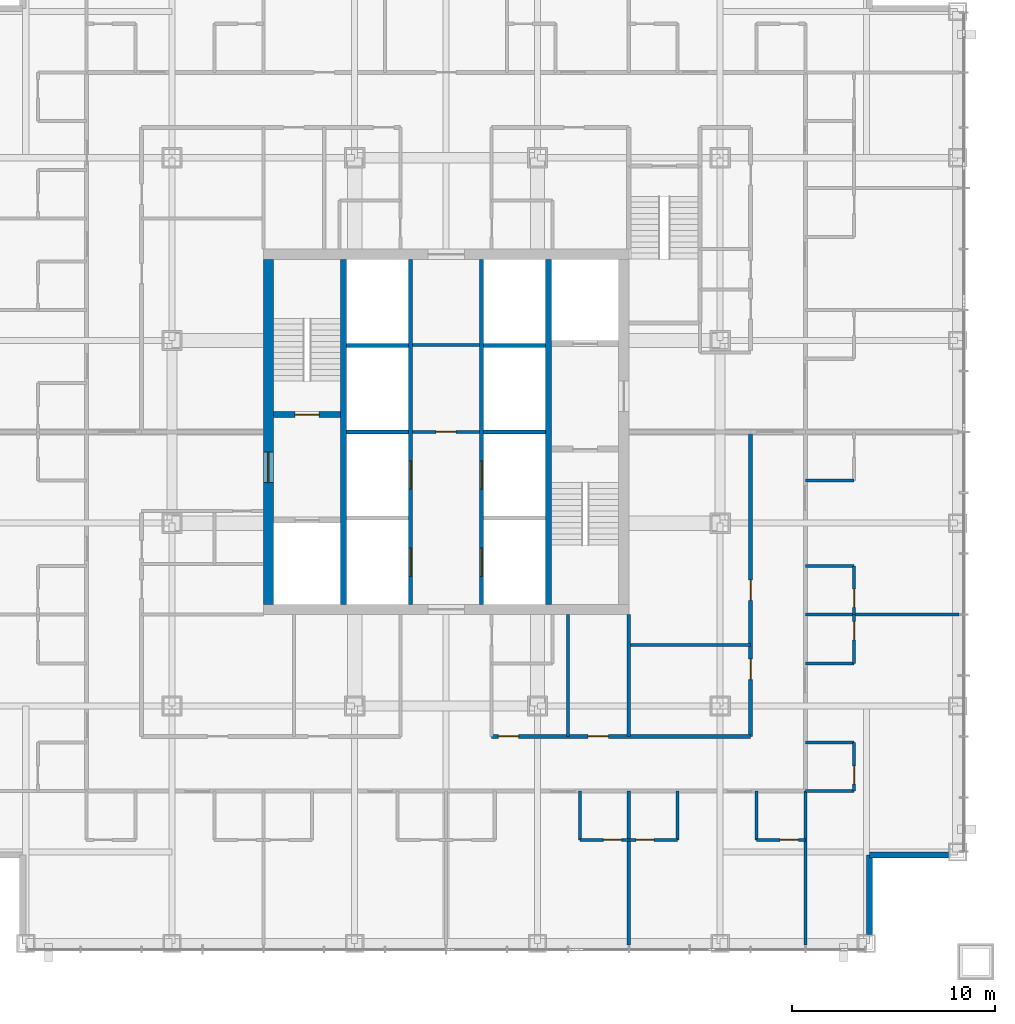
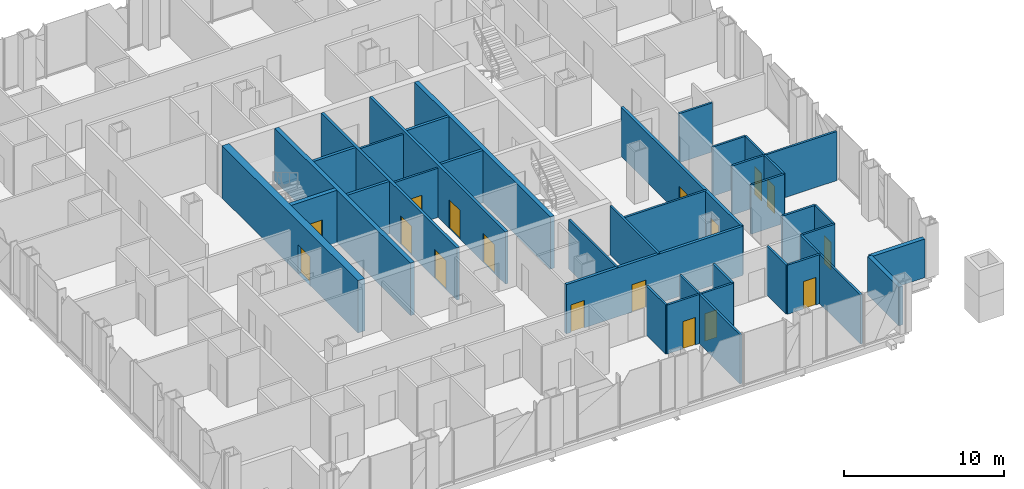
# One storey, part 9 of 23: 36 walls, 17 doors, 17 openings.
"""IFC4 building model written with IfcOpenShell, lengths in metres."""

from ifc_helpers import new_model, si_unit, direction, frame, frame_2d, origin, place, context, subcontext, project, spatial, rectangle, extrude, material, layer, layer_set, type_object, element, fill, save


model = new_model("IFC4")

# Units and contexts
model_context = context("Model", 3, precision=1e-05, world=origin(), true_north=direction((0.0, 1.0)))
body_context = subcontext(model_context, "Body", "Model", "MODEL_VIEW")
ifc_project = project(units=[si_unit("LENGTHUNIT", "METRE"), si_unit("AREAUNIT", "SQUARE_METRE"), si_unit("VOLUMEUNIT", "CUBIC_METRE"), si_unit("PLANEANGLEUNIT", "RADIAN"), si_unit("MASSUNIT", "GRAM", prefix="KILO")], contexts=[model_context])

# Site, building, storey
site_placement = place(None, origin())
site = spatial("IfcSite", under=ifc_project, at=site_placement, CompositionType="ELEMENT")
building_placement = place(site_placement, origin())
building = spatial("IfcBuilding", under=site, at=building_placement, Name="Malebo Sky Hospital", CompositionType="ELEMENT")
storey_placement = place(building_placement, frame((0.0, 0.0, 91.0)))
storey = spatial("IfcBuildingStorey", under=building, at=storey_placement, Name="L21", CompositionType="ELEMENT", Elevation=91.0)

# Wall, openings, doors
ifc_material_1 = material(Name="Concrete C80/95", Category="concrete")
ifc_layer_1 = layer(ifc_material_1, 0.199951171875)
ifc_layer_set_1 = layer_set([ifc_layer_1], Name="CORE INNER WALL 200")
wall_type_1 = type_object("IfcWallType", Name="CORE INNER WALL 200", PredefinedType="SHEAR", material=ifc_layer_set_1)
wall_1_placement = place(storey_placement, frame((58.25, 53.5, 0.0), z_axis=(0.0, 0.0, 1.0), x_axis=(0.0, 1.0, 0.0)))
wall_1 = element("IfcWall", 1, at=wall_1_placement, inside=storey, type_object=wall_type_1, Name="Core wall LW L21", PredefinedType="SHEAR", context=body_context, shape_type="SweptSolid", body=[
    extrude(rectangle(XDim=17.0, YDim=0.199951171875, at=frame_2d((8.5, 0.0))), origin(), (0.0, 0.0, 1.0), 4.0),
])
opening_1_placement = place(wall_1_placement, frame((1.375, 0.0, 0.0)))
opening_1 = element("IfcOpeningElement", 2, at=opening_1_placement, cuts=wall_1, Name="Opening LD1", PredefinedType="OPENING", context=body_context, shape_type="SweptSolid", body=[
    extrude(rectangle(XDim=1.39990234375, YDim=2.199951171875, at=frame_2d((0.699951171875, 1.10009765625))), frame((0.0, 0.10986328125, 0.0), z_axis=(0.0, -1.0, 0.0), x_axis=(1.0, 0.0, 0.0)), (0.0, 0.0, 1.0), 0.219970703125),
])
opening_2_placement = place(wall_1_placement, frame((5.675048828125, 0.0, 0.0)))
opening_2 = element("IfcOpeningElement", 3, at=opening_2_placement, cuts=wall_1, Name="Opening LD1", PredefinedType="OPENING", context=body_context, shape_type="SweptSolid", body=[
    extrude(rectangle(XDim=1.39990234375, YDim=2.199951171875, at=frame_2d((0.699951171875, 1.10009765625))), frame((0.0, 0.10986328125, 0.0), z_axis=(0.0, -1.0, 0.0), x_axis=(1.0, 0.0, 0.0)), (0.0, 0.0, 1.0), 0.219970703125),
])
ifc_material_2 = material(Name="Stainless steel sliding landing door", Category="steel")
door_type_1 = type_object("IfcDoorType", Name="LIFT LANDING DOOR 1400", OperationType="SLIDING_TO_LEFT", PredefinedType="DOOR", material=ifc_material_2)
door_1_placement = place(opening_1_placement, origin())
door_1 = element("IfcDoor", 4, at=door_1_placement, inside=storey, type_object=door_type_1, Name="Lift W1 landing door", OperationType="SLIDING_TO_LEFT", OverallHeight=2.199951171875, OverallWidth=1.39990234375, PredefinedType="DOOR", context=body_context, shape_type="SweptSolid", body=[
    extrude(rectangle(XDim=1.39990234375, YDim=2.199951171875, at=frame_2d((0.699951171875, 1.10009765625))), frame((0.0, 0.02490234375, 0.0), z_axis=(0.0, -1.0, 0.0), x_axis=(1.0, 0.0, 0.0)), (0.0, 0.0, 1.0), 0.050048828125),
])
fill(opening_1, door_1)
door_2_placement = place(opening_2_placement, origin())
door_2 = element("IfcDoor", 5, at=door_2_placement, inside=storey, type_object=door_type_1, Name="Lift W2 landing door", OperationType="SLIDING_TO_LEFT", OverallHeight=2.199951171875, OverallWidth=1.39990234375, PredefinedType="DOOR", context=body_context, shape_type="SweptSolid", body=[
    extrude(rectangle(XDim=1.39990234375, YDim=2.199951171875, at=frame_2d((0.699951171875, 1.10009765625))), frame((0.0, 0.02490234375, 0.0), z_axis=(0.0, -1.0, 0.0), x_axis=(1.0, 0.0, 0.0)), (0.0, 0.0, 1.0), 0.050048828125),
])
fill(opening_2, door_2)

wall_2_placement = place(storey_placement, frame((61.75, 53.5, 0.0), z_axis=(0.0, 0.0, 1.0), x_axis=(0.0, 1.0, 0.0)))
wall_2 = element("IfcWall", 6, at=wall_2_placement, inside=storey, type_object=wall_type_1, Name="Core wall LE L21", PredefinedType="SHEAR", context=body_context, shape_type="SweptSolid", body=[
    extrude(rectangle(XDim=17.0, YDim=0.199951171875, at=frame_2d((8.5, 0.0))), origin(), (0.0, 0.0, 1.0), 4.0),
])
opening_3_placement = place(wall_2_placement, frame((1.375, 0.0, 0.0)))
opening_3 = element("IfcOpeningElement", 7, at=opening_3_placement, cuts=wall_2, Name="Opening LD1", PredefinedType="OPENING", context=body_context, shape_type="SweptSolid", body=[
    extrude(rectangle(XDim=1.39990234375, YDim=2.199951171875, at=frame_2d((0.699951171875, 1.10009765625))), frame((0.0, 0.10986328125, 0.0), z_axis=(0.0, -1.0, 0.0), x_axis=(1.0, 0.0, 0.0)), (0.0, 0.0, 1.0), 0.219970703125),
])
opening_4_placement = place(wall_2_placement, frame((5.675048828125, 0.0, 0.0)))
opening_4 = element("IfcOpeningElement", 8, at=opening_4_placement, cuts=wall_2, Name="Opening LD1", PredefinedType="OPENING", context=body_context, shape_type="SweptSolid", body=[
    extrude(rectangle(XDim=1.39990234375, YDim=2.199951171875, at=frame_2d((0.699951171875, 1.10009765625))), frame((0.0, 0.10986328125, 0.0), z_axis=(0.0, -1.0, 0.0), x_axis=(1.0, 0.0, 0.0)), (0.0, 0.0, 1.0), 0.219970703125),
])
door_3_placement = place(opening_3_placement, origin())
door_3 = element("IfcDoor", 9, at=door_3_placement, inside=storey, type_object=door_type_1, Name="Lift E1 landing door", OperationType="SLIDING_TO_LEFT", OverallHeight=2.199951171875, OverallWidth=1.39990234375, PredefinedType="DOOR", context=body_context, shape_type="SweptSolid", body=[
    extrude(rectangle(XDim=1.39990234375, YDim=2.199951171875, at=frame_2d((0.699951171875, 1.10009765625))), frame((0.0, 0.02490234375, 0.0), z_axis=(0.0, -1.0, 0.0), x_axis=(1.0, 0.0, 0.0)), (0.0, 0.0, 1.0), 0.050048828125),
])
fill(opening_3, door_3)
door_4_placement = place(opening_4_placement, origin())
door_4 = element("IfcDoor", 10, at=door_4_placement, inside=storey, type_object=door_type_1, Name="Lift E2 landing door", OperationType="SLIDING_TO_LEFT", OverallHeight=2.199951171875, OverallWidth=1.39990234375, PredefinedType="DOOR", context=body_context, shape_type="SweptSolid", body=[
    extrude(rectangle(XDim=1.39990234375, YDim=2.199951171875, at=frame_2d((0.699951171875, 1.10009765625))), frame((0.0, 0.02490234375, 0.0), z_axis=(0.0, -1.0, 0.0), x_axis=(1.0, 0.0, 0.0)), (0.0, 0.0, 1.0), 0.050048828125),
])
fill(opening_4, door_4)

# Walls
for number, where, z_axis, x_axis, name in (
    (11, (55.10009765625, 62.0, 0.0), (0.0, 0.0, 1.0), (1.0, 0.0, 0.0), "Core wall SW1 L21"),
    (12, (61.85009765625, 62.0, 0.0), (0.0, 0.0, 1.0), (1.0, 0.0, 0.0), "Core wall SE1 L21"),
    (13, (55.10009765625, 66.25, 0.0), (0.0, 0.0, 1.0), (1.0, 0.0, 0.0), "Core wall SW2 L21"),
    (14, (61.85009765625, 66.25, 0.0), (0.0, 0.0, 1.0), (1.0, 0.0, 0.0), "Core wall SE2 L21"),
):
    element("IfcWall", number, at=place(storey_placement, frame(where, z_axis=z_axis, x_axis=x_axis)), inside=storey, type_object=wall_type_1, Name=name, PredefinedType="SHEAR", context=body_context, shape_type="SweptSolid", body=[
        extrude(rectangle(XDim=3.0498046875, YDim=0.199951171875, at=frame_2d((1.52490234375, 0.0))), origin(), (0.0, 0.0, 1.0), 4.0),
    ])
ifc_layer_2 = layer(ifc_material_1, 0.300048828125)
ifc_layer_set_2 = layer_set([ifc_layer_2], Name="CORE INNER WALL 300")
wall_type_2 = type_object("IfcWallType", Name="CORE INNER WALL 300", PredefinedType="SHEAR", material=ifc_layer_set_2)
for number, where, z_axis, x_axis, name in (
    (15, (54.949951171875, 53.5, 0.0), (0.0, 0.0, 1.0), (0.0, 1.0, 0.0), "Core wall XW L21"),
    (16, (65.050048828125, 53.5, 0.0), (0.0, 0.0, 1.0), (0.0, 1.0, 0.0), "Core wall XE L21"),
):
    element("IfcWall", number, at=place(storey_placement, frame(where, z_axis=z_axis, x_axis=x_axis)), inside=storey, type_object=wall_type_2, Name=name, PredefinedType="SHEAR", context=body_context, shape_type="SweptSolid", body=[
        extrude(rectangle(XDim=17.0, YDim=0.300048828125, at=frame_2d((8.5, 0.0))), origin(), (0.0, 0.0, 1.0), 4.0),
    ])

# Wall, opening, door
wall_3_placement = place(storey_placement, frame((51.5, 62.85009765625, 0.0), z_axis=(0.0, 0.0, 1.0), x_axis=(1.0, 0.0, 0.0)))
wall_3 = element("IfcWall", 17, at=wall_3_placement, inside=storey, type_object=wall_type_2, Name="Core wall W1 L21", PredefinedType="SHEAR", context=body_context, shape_type="SweptSolid", body=[
    extrude(rectangle(XDim=3.300048828125, YDim=0.300048828125, at=frame_2d((1.64990234375, 0.0))), origin(), (0.0, 0.0, 1.0), 4.0),
])
opening_5_placement = place(wall_3_placement, frame((1.050048828125, 0.0, 0.0)))
opening_5 = element("IfcOpeningElement", 18, at=opening_5_placement, cuts=wall_3, Name="Opening D08", PredefinedType="OPENING", context=body_context, shape_type="SweptSolid", body=[
    extrude(rectangle(XDim=1.199951171875, YDim=2.10009765625, at=frame_2d((0.60009765625, 1.050048828125))), frame((0.0, 0.159912109375, 0.0), z_axis=(0.0, -1.0, 0.0), x_axis=(1.0, 0.0, 0.0)), (0.0, 0.0, 1.0), 0.320068359375),
])
ifc_material_3 = material(Name="Hardwood-faced door leaf in steel frame", Category="steel")
door_type_2 = type_object("IfcDoorType", Name="STAIR DOOR 1200", OperationType="SINGLE_SWING_LEFT", PredefinedType="DOOR", material=ifc_material_3)
door_5_placement = place(opening_5_placement, origin())
door_5 = element("IfcDoor", 19, at=door_5_placement, inside=storey, type_object=door_type_2, Name="Stair S1 door", OperationType="SINGLE_SWING_LEFT", OverallHeight=2.10009765625, OverallWidth=1.199951171875, PredefinedType="DOOR", context=body_context, shape_type="SweptSolid", body=[
    extrude(rectangle(XDim=1.199951171875, YDim=2.10009765625, at=frame_2d((0.60009765625, 1.050048828125))), frame((0.0, 0.02490234375, 0.0), z_axis=(0.0, -1.0, 0.0), x_axis=(1.0, 0.0, 0.0)), (0.0, 0.0, 1.0), 0.050048828125),
])
fill(opening_5, door_5)

ifc_layer_3 = layer(ifc_material_1, 0.5)
ifc_layer_set_3 = layer_set([ifc_layer_3], Name="CORE WALL 500")
wall_type_3 = type_object("IfcWallType", Name="CORE WALL 500", PredefinedType="SHEAR", material=ifc_layer_set_3)
wall_4_placement = place(storey_placement, frame((51.25, 53.5, 0.0), z_axis=(0.0, 0.0, 1.0), x_axis=(0.0, 1.0, 0.0)))
wall_4 = element("IfcWall", 20, at=wall_4_placement, inside=storey, type_object=wall_type_3, Name="Core wall W L21", PredefinedType="SHEAR", context=body_context, shape_type="SweptSolid", body=[
    extrude(rectangle(XDim=17.0, YDim=0.5, at=frame_2d((8.5, 0.0))), origin(), (0.0, 0.0, 1.0), 4.0),
])
opening_6_placement = place(wall_4_placement, frame((6.0, 0.0, 0.0)))
opening_6 = element("IfcOpeningElement", 21, at=opening_6_placement, cuts=wall_4, Name="Opening D07", PredefinedType="OPENING", context=body_context, shape_type="SweptSolid", body=[
    extrude(rectangle(XDim=1.5, YDim=2.199951171875, at=frame_2d((0.75, 1.10009765625))), frame((0.0, 0.260009765625, 0.0), z_axis=(0.0, -1.0, 0.0), x_axis=(1.0, 0.0, 0.0)), (0.0, 0.0, 1.0), 0.52001953125),
])
door_type_3 = type_object("IfcDoorType", Name="FIRE-FIGHTING LOBBY DOOR PAIR 1500", OperationType="DOUBLE_DOOR_SINGLE_SWING", PredefinedType="DOOR", material=ifc_material_3)
door_6_placement = place(opening_6_placement, origin())
door_6 = element("IfcDoor", 22, at=door_6_placement, inside=storey, type_object=door_type_3, Name="Fire-fighting lobby door west", OperationType="DOUBLE_DOOR_SINGLE_SWING", OverallHeight=2.199951171875, OverallWidth=1.5, PredefinedType="DOOR", context=body_context, shape_type="SweptSolid", body=[
    extrude(rectangle(XDim=1.5, YDim=2.199951171875, at=frame_2d((0.75, 1.10009765625))), frame((0.0, 0.02490234375, 0.0), z_axis=(0.0, -1.0, 0.0), x_axis=(1.0, 0.0, 0.0)), (0.0, 0.0, 1.0), 0.050048828125),
])
fill(opening_6, door_6)

# Wall, openings, doors
ifc_material_4 = material(Name="Gypsum board on steel studs", Category="steel")
ifc_layer_4 = layer(ifc_material_4, 0.199951171875)
ifc_layer_set_4 = layer_set([ifc_layer_4], Name="CORRIDOR WALL 200")
wall_type_4 = type_object("IfcWallType", Name="CORRIDOR WALL 200", PredefinedType="PARTITIONING", material=ifc_layer_set_4)
wall_5_placement = place(storey_placement, frame((75.0, 47.0, 0.0), z_axis=(0.0, 0.0, 1.0), x_axis=(-1.0, 0.0, 0.0)))
wall_5 = element("IfcWall", 23, at=wall_5_placement, inside=storey, type_object=wall_type_4, Name="Corridor Wall 200 SCI1", PredefinedType="PARTITIONING", context=body_context, shape_type="SweptSolid", body=[
    extrude(rectangle(XDim=12.75, YDim=0.199951171875, at=frame_2d((6.375, 0.0))), origin(), (0.0, 0.0, 1.0), 3.75),
])
opening_7_placement = place(wall_5_placement, frame((7.0, 0.0, 0.0)))
opening_7 = element("IfcOpeningElement", 24, at=opening_7_placement, cuts=wall_5, Name="Opening D03", PredefinedType="OPENING", context=body_context, shape_type="SweptSolid", body=[
    extrude(rectangle(XDim=1.0, YDim=2.10009765625, at=frame_2d((0.5, 1.050048828125))), frame((0.0, 0.10986328125, 0.0), z_axis=(0.0, -1.0, 0.0), x_axis=(1.0, 0.0, 0.0)), (0.0, 0.0, 1.0), 0.219970703125),
])
opening_8_placement = place(wall_5_placement, frame((11.425048828125, 0.0, 0.0)))
opening_8 = element("IfcOpeningElement", 25, at=opening_8_placement, cuts=wall_5, Name="Opening D03", PredefinedType="OPENING", context=body_context, shape_type="SweptSolid", body=[
    extrude(rectangle(XDim=1.0, YDim=2.10009765625, at=frame_2d((0.5, 1.050048828125))), frame((0.0, 0.10986328125, 0.0), z_axis=(0.0, -1.0, 0.0), x_axis=(1.0, 0.0, 0.0)), (0.0, 0.0, 1.0), 0.219970703125),
])
door_type_4 = type_object("IfcDoorType", Name="ROOM DOOR 1000", OperationType="SINGLE_SWING_LEFT", PredefinedType="DOOR", material=ifc_material_3)
door_7_placement = place(opening_7_placement, origin())
door_7 = element("IfcDoor", 26, at=door_7_placement, inside=storey, type_object=door_type_4, Name="Clean utility room door", OperationType="SINGLE_SWING_LEFT", OverallHeight=2.10009765625, OverallWidth=1.0, PredefinedType="DOOR", context=body_context, shape_type="SweptSolid", body=[
    extrude(rectangle(XDim=1.0, YDim=2.10009765625, at=frame_2d((0.5, 1.050048828125))), frame((0.0, 0.02490234375, 0.0), z_axis=(0.0, -1.0, 0.0), x_axis=(1.0, 0.0, 0.0)), (0.0, 0.0, 1.0), 0.050048828125),
])
fill(opening_7, door_7)
door_8_placement = place(opening_8_placement, origin())
door_8 = element("IfcDoor", 27, at=door_8_placement, inside=storey, type_object=door_type_4, Name="Equipment store door", OperationType="SINGLE_SWING_RIGHT", OverallHeight=2.10009765625, OverallWidth=1.0, PredefinedType="DOOR", context=body_context, shape_type="SweptSolid", body=[
    extrude(rectangle(XDim=1.0, YDim=2.10009765625, at=frame_2d((0.5, 1.050048828125))), frame((0.0, 0.02490234375, 0.0), z_axis=(0.0, -1.0, 0.0), x_axis=(1.0, 0.0, 0.0)), (0.0, 0.0, 1.0), 0.050048828125),
])
fill(opening_8, door_8)

wall_6_placement = place(storey_placement, frame((75.0, 62.0, 0.0), z_axis=(0.0, 0.0, 1.0), x_axis=(0.0, -1.0, 0.0)))
wall_6 = element("IfcWall", 28, at=wall_6_placement, inside=storey, type_object=wall_type_4, Name="Corridor Wall 200 ECI2", PredefinedType="PARTITIONING", context=body_context, shape_type="SweptSolid", body=[
    extrude(rectangle(XDim=15.0, YDim=0.199951171875, at=frame_2d((7.5, 0.0))), origin(), (0.0, 0.0, 1.0), 3.75),
])
opening_9_placement = place(wall_6_placement, frame((7.300048828125, 0.0, 0.0)))
opening_9 = element("IfcOpeningElement", 29, at=opening_9_placement, cuts=wall_6, Name="Opening D03", PredefinedType="OPENING", context=body_context, shape_type="SweptSolid", body=[
    extrude(rectangle(XDim=1.0, YDim=2.10009765625, at=frame_2d((0.5, 1.050048828125))), frame((0.0, 0.10986328125, 0.0), z_axis=(0.0, -1.0, 0.0), x_axis=(1.0, 0.0, 0.0)), (0.0, 0.0, 1.0), 0.219970703125),
])
opening_10_placement = place(wall_6_placement, frame((11.199951171875, 0.0, 0.0)))
opening_10 = element("IfcOpeningElement", 30, at=opening_10_placement, cuts=wall_6, Name="Opening D03", PredefinedType="OPENING", context=body_context, shape_type="SweptSolid", body=[
    extrude(rectangle(XDim=1.0, YDim=2.10009765625, at=frame_2d((0.5, 1.050048828125))), frame((0.0, 0.10986328125, 0.0), z_axis=(0.0, -1.0, 0.0), x_axis=(1.0, 0.0, 0.0)), (0.0, 0.0, 1.0), 0.219970703125),
])
door_9_placement = place(opening_9_placement, origin())
door_9 = element("IfcDoor", 31, at=door_9_placement, inside=storey, type_object=door_type_4, Name="Staff rest room door", OperationType="SINGLE_SWING_RIGHT", OverallHeight=2.10009765625, OverallWidth=1.0, PredefinedType="DOOR", context=body_context, shape_type="SweptSolid", body=[
    extrude(rectangle(XDim=1.0, YDim=2.10009765625, at=frame_2d((0.5, 1.050048828125))), frame((0.0, 0.02490234375, 0.0), z_axis=(0.0, -1.0, 0.0), x_axis=(1.0, 0.0, 0.0)), (0.0, 0.0, 1.0), 0.050048828125),
])
fill(opening_9, door_9)
door_10_placement = place(opening_10_placement, origin())
door_10 = element("IfcDoor", 32, at=door_10_placement, inside=storey, type_object=door_type_4, Name="Ward pantry door", OperationType="SINGLE_SWING_LEFT", OverallHeight=2.10009765625, OverallWidth=1.0, PredefinedType="DOOR", context=body_context, shape_type="SweptSolid", body=[
    extrude(rectangle(XDim=1.0, YDim=2.10009765625, at=frame_2d((0.5, 1.050048828125))), frame((0.0, 0.02490234375, 0.0), z_axis=(0.0, -1.0, 0.0), x_axis=(1.0, 0.0, 0.0)), (0.0, 0.0, 1.0), 0.050048828125),
])
fill(opening_10, door_10)

# Walls
ifc_material_5 = material(Name="Anodised aluminium rainscreen on steel framing", Category="steel")
ifc_layer_5 = layer(ifc_material_5, 0.300048828125)
ifc_layer_set_5 = layer_set([ifc_layer_5], Name="NOTCH RAINSCREEN WALL 300")
wall_type_5 = type_object("IfcWallType", Name="NOTCH RAINSCREEN WALL 300", PredefinedType="ELEMENTEDWALL", material=ifc_layer_set_5)
for number, where, z_axis, x_axis, name in (
    (33, (84.75, 41.14990234375, 0.0), (0.0, 0.0, 1.0), (-1.0, 0.0, 0.0), "Notch rainscreen wall E1 L21"),
    (34, (80.85009765625, 41.14990234375, 0.0), (0.0, 0.0, 1.0), (0.0, -1.0, 0.0), "Notch rainscreen wall E2 L21"),
):
    element("IfcWall", number, at=place(storey_placement, frame(where, z_axis=z_axis, x_axis=x_axis)), inside=storey, type_object=wall_type_5, Name=name, PredefinedType="ELEMENTEDWALL", context=body_context, shape_type="SweptSolid", body=[
        extrude(rectangle(XDim=3.89990234375, YDim=0.300048828125, at=frame_2d((1.949951171875, 0.0))), origin(), (0.0, 0.0, 1.0), 2.949951171875),
    ])
ifc_layer_6 = layer(ifc_material_4, 0.14990234375)
ifc_layer_set_6 = layer_set([ifc_layer_6], Name="PARTITION 150")
wall_type_6 = type_object("IfcWallType", Name="PARTITION 150", PredefinedType="PARTITIONING", material=ifc_layer_set_6)
for number, where, z_axis, x_axis, name in (
    (35, (69.0, 44.300048828125, 0.0), (0.0, 0.0, 1.0), (0.0, -1.0, 0.0), "Partition 150 SP-9.0"),
    (36, (77.699951171875, 44.300048828125, 0.0), (0.0, 0.0, 1.0), (0.0, -1.0, 0.0), "Partition 150 SP0"),
):
    element("IfcWall", number, at=place(storey_placement, frame(where, z_axis=z_axis, x_axis=x_axis)), inside=storey, type_object=wall_type_6, Name=name, PredefinedType="PARTITIONING", context=body_context, shape_type="SweptSolid", body=[
        extrude(rectangle(XDim=7.574951171875, YDim=0.14990234375, at=frame_2d((3.78759765625, 0.0))), origin(), (0.0, 0.0, 1.0), 3.75),
    ])

# Wall, opening, door
wall_7_placement = place(storey_placement, frame((77.699951171875, 41.89990234375, 0.0), z_axis=(0.0, 0.0, 1.0), x_axis=(-1.0, 0.0, 0.0)))
wall_7 = element("IfcWall", 37, at=wall_7_placement, inside=storey, type_object=wall_type_6, Name="Partition 150 SE0F", PredefinedType="PARTITIONING", context=body_context, shape_type="SweptSolid", body=[
    extrude(rectangle(XDim=2.39990234375, YDim=0.14990234375, at=frame_2d((1.199951171875, 0.0))), origin(), (0.0, 0.0, 1.0), 3.75),
])
opening_11_placement = place(wall_7_placement, frame((0.35009765625, 0.0, 0.0)))
opening_11 = element("IfcOpeningElement", 38, at=opening_11_placement, cuts=wall_7, Name="Opening D02", PredefinedType="OPENING", context=body_context, shape_type="SweptSolid", body=[
    extrude(rectangle(XDim=0.89990234375, YDim=2.10009765625, at=frame_2d((0.449951171875, 1.050048828125))), frame((0.0, 0.0849609375, 0.0), z_axis=(0.0, -1.0, 0.0), x_axis=(1.0, 0.0, 0.0)), (0.0, 0.0, 1.0), 0.169921875),
])
door_type_5 = type_object("IfcDoorType", Name="EN-SUITE DOOR 900", OperationType="SINGLE_SWING_LEFT", PredefinedType="DOOR", material=ifc_material_3)
door_11_placement = place(opening_11_placement, origin())
door_11 = element("IfcDoor", 39, at=door_11_placement, inside=storey, type_object=door_type_5, Name="En-suite door", OperationType="SINGLE_SWING_LEFT", OverallHeight=2.10009765625, OverallWidth=0.89990234375, PredefinedType="DOOR", context=body_context, shape_type="SweptSolid", body=[
    extrude(rectangle(XDim=0.89990234375, YDim=2.10009765625, at=frame_2d((0.449951171875, 1.050048828125))), frame((0.0, 0.02490234375, 0.0), z_axis=(0.0, -1.0, 0.0), x_axis=(1.0, 0.0, 0.0)), (0.0, 0.0, 1.0), 0.050048828125),
])
fill(opening_11, door_11)

# Wall
wall_8_placement = place(storey_placement, frame((75.300048828125, 44.300048828125, 0.0), z_axis=(0.0, 0.0, 1.0), x_axis=(0.0, -1.0, 0.0)))
element("IfcWall", 40, at=wall_8_placement, inside=storey, type_object=wall_type_6, Name="Partition 150 SE0S", PredefinedType="PARTITIONING", context=body_context, shape_type="SweptSolid", body=[
    extrude(rectangle(XDim=2.400146484375, YDim=0.14990234375, at=frame_2d((1.2001953125, 0.0))), origin(), (0.0, 0.0, 1.0), 3.75),
])

# Wall, opening, door
wall_9_placement = place(storey_placement, frame((71.39990234375, 41.89990234375, 0.0), z_axis=(0.0, 0.0, 1.0), x_axis=(-1.0, 0.0, 0.0)))
wall_9 = element("IfcWall", 41, at=wall_9_placement, inside=storey, type_object=wall_type_6, Name="Partition 150 SG0F", PredefinedType="PARTITIONING", context=body_context, shape_type="SweptSolid", body=[
    extrude(rectangle(XDim=2.39990234375, YDim=0.14990234375, at=frame_2d((1.199951171875, 0.0))), origin(), (0.0, 0.0, 1.0), 3.75),
])
opening_12_placement = place(wall_9_placement, frame((1.14990234375, 0.0, 0.0)))
opening_12 = element("IfcOpeningElement", 42, at=opening_12_placement, cuts=wall_9, Name="Opening D02", PredefinedType="OPENING", context=body_context, shape_type="SweptSolid", body=[
    extrude(rectangle(XDim=0.89990234375, YDim=2.10009765625, at=frame_2d((0.449951171875, 1.050048828125))), frame((0.0, 0.0849609375, 0.0), z_axis=(0.0, -1.0, 0.0), x_axis=(1.0, 0.0, 0.0)), (0.0, 0.0, 1.0), 0.169921875),
])
door_12_placement = place(opening_12_placement, origin())
door_12 = element("IfcDoor", 43, at=door_12_placement, inside=storey, type_object=door_type_5, Name="En-suite door", OperationType="SINGLE_SWING_RIGHT", OverallHeight=2.10009765625, OverallWidth=0.89990234375, PredefinedType="DOOR", context=body_context, shape_type="SweptSolid", body=[
    extrude(rectangle(XDim=0.89990234375, YDim=2.10009765625, at=frame_2d((0.449951171875, 1.050048828125))), frame((0.0, 0.02490234375, 0.0), z_axis=(0.0, -1.0, 0.0), x_axis=(1.0, 0.0, 0.0)), (0.0, 0.0, 1.0), 0.050048828125),
])
fill(opening_12, door_12)

# Wall
wall_10_placement = place(storey_placement, frame((71.39990234375, 44.300048828125, 0.0), z_axis=(0.0, 0.0, 1.0), x_axis=(0.0, -1.0, 0.0)))
element("IfcWall", 44, at=wall_10_placement, inside=storey, type_object=wall_type_6, Name="Partition 150 SG0S", PredefinedType="PARTITIONING", context=body_context, shape_type="SweptSolid", body=[
    extrude(rectangle(XDim=2.400146484375, YDim=0.14990234375, at=frame_2d((1.2001953125, 0.0))), origin(), (0.0, 0.0, 1.0), 3.75),
])

# Wall, opening, door
wall_11_placement = place(storey_placement, frame((69.0, 41.89990234375, 0.0), z_axis=(0.0, 0.0, 1.0), x_axis=(-1.0, 0.0, 0.0)))
wall_11 = element("IfcWall", 45, at=wall_11_placement, inside=storey, type_object=wall_type_6, Name="Partition 150 SE1F", PredefinedType="PARTITIONING", context=body_context, shape_type="SweptSolid", body=[
    extrude(rectangle(XDim=2.39990234375, YDim=0.14990234375, at=frame_2d((1.199951171875, 0.0))), origin(), (0.0, 0.0, 1.0), 3.75),
])
opening_13_placement = place(wall_11_placement, frame((0.35009765625, 0.0, 0.0)))
opening_13 = element("IfcOpeningElement", 46, at=opening_13_placement, cuts=wall_11, Name="Opening D02", PredefinedType="OPENING", context=body_context, shape_type="SweptSolid", body=[
    extrude(rectangle(XDim=0.89990234375, YDim=2.10009765625, at=frame_2d((0.449951171875, 1.050048828125))), frame((0.0, 0.0849609375, 0.0), z_axis=(0.0, -1.0, 0.0), x_axis=(1.0, 0.0, 0.0)), (0.0, 0.0, 1.0), 0.169921875),
])
door_13_placement = place(opening_13_placement, origin())
door_13 = element("IfcDoor", 47, at=door_13_placement, inside=storey, type_object=door_type_5, Name="En-suite door", OperationType="SINGLE_SWING_LEFT", OverallHeight=2.10009765625, OverallWidth=0.89990234375, PredefinedType="DOOR", context=body_context, shape_type="SweptSolid", body=[
    extrude(rectangle(XDim=0.89990234375, YDim=2.10009765625, at=frame_2d((0.449951171875, 1.050048828125))), frame((0.0, 0.02490234375, 0.0), z_axis=(0.0, -1.0, 0.0), x_axis=(1.0, 0.0, 0.0)), (0.0, 0.0, 1.0), 0.050048828125),
])
fill(opening_13, door_13)

# Walls
wall_12_placement = place(storey_placement, frame((66.60009765625, 44.300048828125, 0.0), z_axis=(0.0, 0.0, 1.0), x_axis=(0.0, -1.0, 0.0)))
element("IfcWall", 48, at=wall_12_placement, inside=storey, type_object=wall_type_6, Name="Partition 150 SE1S", PredefinedType="PARTITIONING", context=body_context, shape_type="SweptSolid", body=[
    extrude(rectangle(XDim=2.400146484375, YDim=0.14990234375, at=frame_2d((1.2001953125, 0.0))), origin(), (0.0, 0.0, 1.0), 3.75),
])
for number, where, z_axis, x_axis, name in (
    (49, (69.0, 53.0, 0.0), (0.0, 0.0, 1.0), (0.0, -1.0, 0.0), "Partition 150 SSP0"),
    (50, (66.0, 53.0, 0.0), (0.0, 0.0, 1.0), (0.0, -1.0, 0.0), "Partition 150 SSP-6.0"),
):
    element("IfcWall", number, at=place(storey_placement, frame(where, z_axis=z_axis, x_axis=x_axis)), inside=storey, type_object=wall_type_6, Name=name, PredefinedType="PARTITIONING", context=body_context, shape_type="SweptSolid", body=[
        extrude(rectangle(XDim=6.0, YDim=0.14990234375, at=frame_2d((3.0, 0.0))), origin(), (0.0, 0.0, 1.0), 3.75),
    ])
wall_13_placement = place(storey_placement, frame((77.699951171875, 53.0, 0.0), z_axis=(0.0, 0.0, 1.0), x_axis=(1.0, 0.0, 0.0)))
element("IfcWall", 51, at=wall_13_placement, inside=storey, type_object=wall_type_6, Name="Partition 150 EP+9.0", PredefinedType="PARTITIONING", context=body_context, shape_type="SweptSolid", body=[
    extrude(rectangle(XDim=7.574951171875, YDim=0.14990234375, at=frame_2d((3.78759765625, 0.0))), origin(), (0.0, 0.0, 1.0), 3.75),
])
wall_14_placement = place(storey_placement, frame((77.699951171875, 59.60009765625, 0.0), z_axis=(0.0, 0.0, 1.0), x_axis=(1.0, 0.0, 0.0)))
element("IfcWall", 52, at=wall_14_placement, inside=storey, type_object=wall_type_6, Name="Partition 150 EE3S", PredefinedType="PARTITIONING", context=body_context, shape_type="SweptSolid", body=[
    extrude(rectangle(XDim=2.400146484375, YDim=0.14990234375, at=frame_2d((1.2001953125, 0.0))), origin(), (0.0, 0.0, 1.0), 3.75),
])

# Wall, opening, door
wall_15_placement = place(storey_placement, frame((80.10009765625, 55.39990234375, 0.0), z_axis=(0.0, 0.0, 1.0), x_axis=(0.0, -1.0, 0.0)))
wall_15 = element("IfcWall", 53, at=wall_15_placement, inside=storey, type_object=wall_type_6, Name="Partition 150 EG3F", PredefinedType="PARTITIONING", context=body_context, shape_type="SweptSolid", body=[
    extrude(rectangle(XDim=2.39990234375, YDim=0.14990234375, at=frame_2d((1.199951171875, 0.0))), origin(), (0.0, 0.0, 1.0), 3.75),
])
opening_14_placement = place(wall_15_placement, frame((1.14990234375, 0.0, 0.0)))
opening_14 = element("IfcOpeningElement", 54, at=opening_14_placement, cuts=wall_15, Name="Opening D02", PredefinedType="OPENING", context=body_context, shape_type="SweptSolid", body=[
    extrude(rectangle(XDim=0.89990234375, YDim=2.10009765625, at=frame_2d((0.449951171875, 1.050048828125))), frame((0.0, 0.0849609375, 0.0), z_axis=(0.0, -1.0, 0.0), x_axis=(1.0, 0.0, 0.0)), (0.0, 0.0, 1.0), 0.169921875),
])
door_14_placement = place(opening_14_placement, origin())
door_14 = element("IfcDoor", 55, at=door_14_placement, inside=storey, type_object=door_type_5, Name="En-suite door", OperationType="SINGLE_SWING_RIGHT", OverallHeight=2.10009765625, OverallWidth=0.89990234375, PredefinedType="DOOR", context=body_context, shape_type="SweptSolid", body=[
    extrude(rectangle(XDim=0.89990234375, YDim=2.10009765625, at=frame_2d((0.449951171875, 1.050048828125))), frame((0.0, 0.02490234375, 0.0), z_axis=(0.0, -1.0, 0.0), x_axis=(1.0, 0.0, 0.0)), (0.0, 0.0, 1.0), 0.050048828125),
])
fill(opening_14, door_14)

# Wall
wall_16_placement = place(storey_placement, frame((77.699951171875, 55.39990234375, 0.0), z_axis=(0.0, 0.0, 1.0), x_axis=(1.0, 0.0, 0.0)))
element("IfcWall", 56, at=wall_16_placement, inside=storey, type_object=wall_type_6, Name="Partition 150 EG3S", PredefinedType="PARTITIONING", context=body_context, shape_type="SweptSolid", body=[
    extrude(rectangle(XDim=2.400146484375, YDim=0.14990234375, at=frame_2d((1.2001953125, 0.0))), origin(), (0.0, 0.0, 1.0), 3.75),
])

# Wall, opening, door
wall_17_placement = place(storey_placement, frame((80.10009765625, 53.0, 0.0), z_axis=(0.0, 0.0, 1.0), x_axis=(0.0, -1.0, 0.0)))
wall_17 = element("IfcWall", 57, at=wall_17_placement, inside=storey, type_object=wall_type_6, Name="Partition 150 EE4F", PredefinedType="PARTITIONING", context=body_context, shape_type="SweptSolid", body=[
    extrude(rectangle(XDim=2.39990234375, YDim=0.14990234375, at=frame_2d((1.199951171875, 0.0))), origin(), (0.0, 0.0, 1.0), 3.75),
])
opening_15_placement = place(wall_17_placement, frame((0.35009765625, 0.0, 0.0)))
opening_15 = element("IfcOpeningElement", 58, at=opening_15_placement, cuts=wall_17, Name="Opening D02", PredefinedType="OPENING", context=body_context, shape_type="SweptSolid", body=[
    extrude(rectangle(XDim=0.89990234375, YDim=2.10009765625, at=frame_2d((0.449951171875, 1.050048828125))), frame((0.0, 0.0849609375, 0.0), z_axis=(0.0, -1.0, 0.0), x_axis=(1.0, 0.0, 0.0)), (0.0, 0.0, 1.0), 0.169921875),
])
door_15_placement = place(opening_15_placement, origin())
door_15 = element("IfcDoor", 59, at=door_15_placement, inside=storey, type_object=door_type_5, Name="En-suite door", OperationType="SINGLE_SWING_LEFT", OverallHeight=2.10009765625, OverallWidth=0.89990234375, PredefinedType="DOOR", context=body_context, shape_type="SweptSolid", body=[
    extrude(rectangle(XDim=0.89990234375, YDim=2.10009765625, at=frame_2d((0.449951171875, 1.050048828125))), frame((0.0, 0.02490234375, 0.0), z_axis=(0.0, -1.0, 0.0), x_axis=(1.0, 0.0, 0.0)), (0.0, 0.0, 1.0), 0.050048828125),
])
fill(opening_15, door_15)

# Wall
wall_18_placement = place(storey_placement, frame((77.699951171875, 50.60009765625, 0.0), z_axis=(0.0, 0.0, 1.0), x_axis=(1.0, 0.0, 0.0)))
element("IfcWall", 60, at=wall_18_placement, inside=storey, type_object=wall_type_6, Name="Partition 150 EE4S", PredefinedType="PARTITIONING", context=body_context, shape_type="SweptSolid", body=[
    extrude(rectangle(XDim=2.400146484375, YDim=0.14990234375, at=frame_2d((1.2001953125, 0.0))), origin(), (0.0, 0.0, 1.0), 3.75),
])

# Wall, opening, door
wall_19_placement = place(storey_placement, frame((80.10009765625, 46.699951171875, 0.0), z_axis=(0.0, 0.0, 1.0), x_axis=(0.0, -1.0, 0.0)))
wall_19 = element("IfcWall", 61, at=wall_19_placement, inside=storey, type_object=wall_type_6, Name="Partition 150 EG4F", PredefinedType="PARTITIONING", context=body_context, shape_type="SweptSolid", body=[
    extrude(rectangle(XDim=2.39990234375, YDim=0.14990234375, at=frame_2d((1.199951171875, 0.0))), origin(), (0.0, 0.0, 1.0), 3.75),
])
opening_16_placement = place(wall_19_placement, frame((1.14990234375, 0.0, 0.0)))
opening_16 = element("IfcOpeningElement", 62, at=opening_16_placement, cuts=wall_19, Name="Opening D02", PredefinedType="OPENING", context=body_context, shape_type="SweptSolid", body=[
    extrude(rectangle(XDim=0.89990234375, YDim=2.10009765625, at=frame_2d((0.449951171875, 1.050048828125))), frame((0.0, 0.0849609375, 0.0), z_axis=(0.0, -1.0, 0.0), x_axis=(1.0, 0.0, 0.0)), (0.0, 0.0, 1.0), 0.169921875),
])
door_16_placement = place(opening_16_placement, origin())
door_16 = element("IfcDoor", 63, at=door_16_placement, inside=storey, type_object=door_type_5, Name="En-suite door", OperationType="SINGLE_SWING_RIGHT", OverallHeight=2.10009765625, OverallWidth=0.89990234375, PredefinedType="DOOR", context=body_context, shape_type="SweptSolid", body=[
    extrude(rectangle(XDim=0.89990234375, YDim=2.10009765625, at=frame_2d((0.449951171875, 1.050048828125))), frame((0.0, 0.02490234375, 0.0), z_axis=(0.0, -1.0, 0.0), x_axis=(1.0, 0.0, 0.0)), (0.0, 0.0, 1.0), 0.050048828125),
])
fill(opening_16, door_16)

# Walls
for number, where, z_axis, x_axis, name in (
    (64, (77.699951171875, 46.699951171875, 0.0), (0.0, 0.0, 1.0), (1.0, 0.0, 0.0), "Partition 150 EG4S"),
    (65, (77.699951171875, 44.300048828125, 0.0), (0.0, 0.0, 1.0), (1.0, 0.0, 0.0), "Partition 150 EEZ"),
):
    element("IfcWall", number, at=place(storey_placement, frame(where, z_axis=z_axis, x_axis=x_axis)), inside=storey, type_object=wall_type_6, Name=name, PredefinedType="PARTITIONING", context=body_context, shape_type="SweptSolid", body=[
        extrude(rectangle(XDim=2.400146484375, YDim=0.14990234375, at=frame_2d((1.2001953125, 0.0))), origin(), (0.0, 0.0, 1.0), 3.75),
    ])
wall_20_placement = place(storey_placement, frame((69.0, 51.5, 0.0), z_axis=(0.0, 0.0, 1.0), x_axis=(1.0, 0.0, 0.0)))
element("IfcWall", 66, at=wall_20_placement, inside=storey, type_object=wall_type_6, Name="Partition 150 ESP+10.5", PredefinedType="PARTITIONING", context=body_context, shape_type="SweptSolid", body=[
    extrude(rectangle(XDim=6.0, YDim=0.14990234375, at=frame_2d((3.0, 0.0))), origin(), (0.0, 0.0, 1.0), 3.75),
])

# Wall, opening, door
wall_21_placement = place(storey_placement, frame((58.35009765625, 62.0, 0.0), z_axis=(0.0, 0.0, 1.0), x_axis=(1.0, 0.0, 0.0)))
wall_21 = element("IfcWall", 67, at=wall_21_placement, inside=storey, type_object=wall_type_6, Name="Partition 150 LBN", PredefinedType="PARTITIONING", context=body_context, shape_type="SweptSolid", body=[
    extrude(rectangle(XDim=3.2998046875, YDim=0.14990234375, at=frame_2d((1.64990234375, 0.0))), origin(), (0.0, 0.0, 1.0), 3.75),
])
opening_17_placement = place(wall_21_placement, frame((1.14990234375, 0.0, 0.0)))
opening_17 = element("IfcOpeningElement", 68, at=opening_17_placement, cuts=wall_21, Name="Opening D03", PredefinedType="OPENING", context=body_context, shape_type="SweptSolid", body=[
    extrude(rectangle(XDim=1.0, YDim=2.10009765625, at=frame_2d((0.5, 1.050048828125))), frame((0.0, 0.0849609375, 0.0), z_axis=(0.0, -1.0, 0.0), x_axis=(1.0, 0.0, 0.0)), (0.0, 0.0, 1.0), 0.169921875),
])
door_17_placement = place(opening_17_placement, origin())
door_17 = element("IfcDoor", 69, at=door_17_placement, inside=storey, type_object=door_type_4, Name="Pantry store door", OperationType="SINGLE_SWING_LEFT", OverallHeight=2.10009765625, OverallWidth=1.0, PredefinedType="DOOR", context=body_context, shape_type="SweptSolid", body=[
    extrude(rectangle(XDim=1.0, YDim=2.10009765625, at=frame_2d((0.5, 1.050048828125))), frame((0.0, 0.02490234375, 0.0), z_axis=(0.0, -1.0, 0.0), x_axis=(1.0, 0.0, 0.0)), (0.0, 0.0, 1.0), 0.050048828125),
])
fill(opening_17, door_17)

# Wall
wall_22_placement = place(storey_placement, frame((58.35009765625, 66.28759765625, 0.0), z_axis=(0.0, 0.0, 1.0), x_axis=(1.0, 0.0, 0.0)))
element("IfcWall", 70, at=wall_22_placement, inside=storey, type_object=wall_type_6, Name="Partition 150 LBN1", PredefinedType="PARTITIONING", context=body_context, shape_type="SweptSolid", body=[
    extrude(rectangle(XDim=3.2998046875, YDim=0.14990234375, at=frame_2d((1.64990234375, 0.0))), origin(), (0.0, 0.0, 1.0), 3.75),
])

save(model, "model.ifc")
